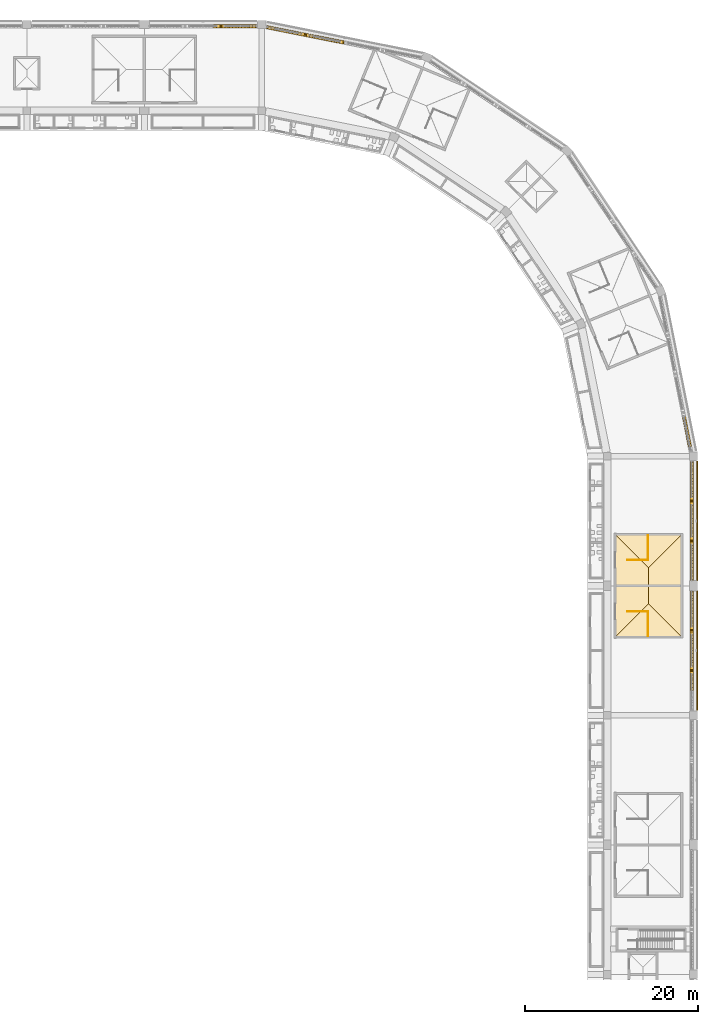
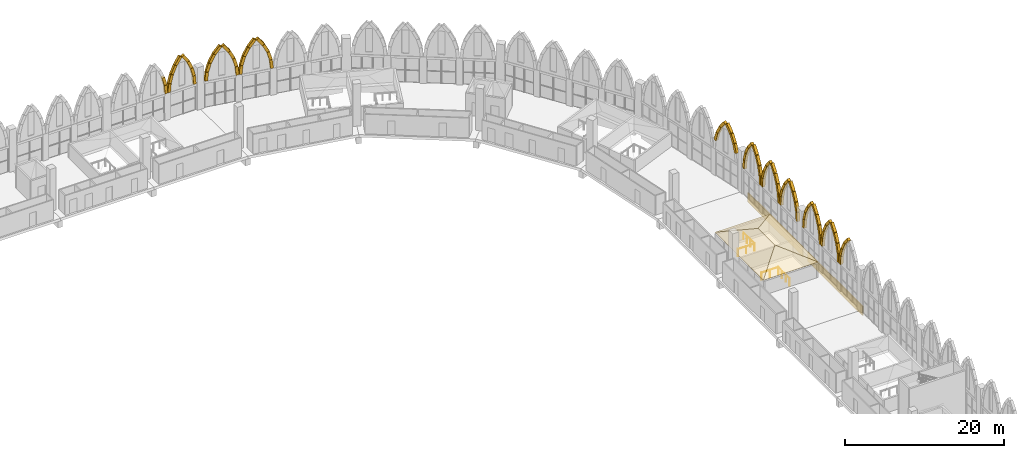
# One storey, part 119 of 130: 82 coverings, 4 railings.
"""IFC4 building model written with IfcOpenShell, lengths in metres."""

from ifc_helpers import new_model, si_unit, direction, frame, origin, origin_2d, place, context, subcontext, project, spatial, polyline, rectangle, circle, outline, extrude, material, layer, layer_set, material_profile, profile_set, type_object, element, save


model = new_model("IFC4")

# Units and contexts
model_context = context("Model", 3, precision=1e-05, world=origin(), true_north=direction((0.0, 1.0)))
body_context = subcontext(model_context, "Body", "Model", "MODEL_VIEW")
ifc_project = project(units=[si_unit("LENGTHUNIT", "METRE"), si_unit("AREAUNIT", "SQUARE_METRE"), si_unit("VOLUMEUNIT", "CUBIC_METRE"), si_unit("PLANEANGLEUNIT", "RADIAN"), si_unit("MASSUNIT", "GRAM", prefix="KILO")], contexts=[model_context])

# Site, building, storey
site_placement = place(None, origin())
site = spatial("IfcSite", under=ifc_project, at=site_placement, CompositionType="ELEMENT")
building_placement = place(site_placement, origin())
building = spatial("IfcBuilding", under=site, at=building_placement, Name="Ogive Plaza Stadium", CompositionType="ELEMENT")
storey_placement = place(building_placement, frame((0.0, 0.0, 22.5)))
storey = spatial("IfcBuildingStorey", under=building, at=storey_placement, Name="L05", CompositionType="ELEMENT", Elevation=22.5)

# Railings
ifc_material_1 = material(Name="Steel ASTM A572 Grade 50", Category="steel")
railing_type = type_object("IfcRailingType", Name="Guard 1100", PredefinedType="GUARDRAIL", material=ifc_material_1)
railing_1_placement = place(storey_placement, frame((76.35009765625, 34.52490234375, 0.0)))
element("IfcRailing", 1, at=railing_1_placement, inside=storey, type_object=railing_type, Name="Stair well guard ST02A L05", PredefinedType="GUARDRAIL", context=body_context, shape_type="SweptSolid", body=[
    extrude(circle(Radius=0.02392578125, at=origin_2d()), frame((0.0, 0.0, 1.076171875), z_axis=(1.0, 0.0, 0.0), x_axis=(0.0, 1.0, 0.0)), (0.0, 0.0, 1.0), 2.39990234375),
    extrude(circle(Radius=0.02099609375, at=origin_2d()), origin(), (0.0, 0.0, 1.0), 1.052001953125),
    extrude(circle(Radius=0.02099609375, at=origin_2d()), frame((1.199951171875, 0.0, 0.0)), (0.0, 0.0, 1.0), 1.052001953125),
    extrude(circle(Radius=0.02099609375, at=origin_2d()), frame((2.39990234375, 0.0, 0.0)), (0.0, 0.0, 1.0), 1.052001953125),
])
railing_2_placement = place(storey_placement, frame((78.75, 31.675048828125, 0.0)))
element("IfcRailing", 2, at=railing_2_placement, inside=storey, type_object=railing_type, Name="Stair guard ST02A L05", PredefinedType="GUARDRAIL", context=body_context, shape_type="SweptSolid", body=[
    extrude(circle(Radius=0.02392578125, at=origin_2d()), frame((0.0, 0.0, 1.076171875), z_axis=(0.0, 1.0, 0.0), x_axis=(-1.0, 0.0, 0.0)), (0.0, 0.0, 1.0), 2.800048828125),
    extrude(circle(Radius=0.02099609375, at=origin_2d()), origin(), (0.0, 0.0, 1.0), 1.052001953125),
    extrude(circle(Radius=0.02099609375, at=origin_2d()), frame((0.0, 0.933349609375, 0.0)), (0.0, 0.0, 1.0), 1.052001953125),
    extrude(circle(Radius=0.02099609375, at=origin_2d()), frame((0.0, 1.86669921875, 0.0)), (0.0, 0.0, 1.0), 1.052001953125),
    extrude(circle(Radius=0.02099609375, at=origin_2d()), frame((0.0, 2.800048828125, 0.0)), (0.0, 0.0, 1.0), 1.052001953125),
])
railing_3_placement = place(storey_placement, frame((76.35009765625, 40.47509765625, 0.0)))
element("IfcRailing", 3, at=railing_3_placement, inside=storey, type_object=railing_type, Name="Stair well guard ST02B L05", PredefinedType="GUARDRAIL", context=body_context, shape_type="SweptSolid", body=[
    extrude(circle(Radius=0.02392578125, at=origin_2d()), frame((0.0, 0.0, 1.076171875), z_axis=(1.0, 0.0, 0.0), x_axis=(0.0, 1.0, 0.0)), (0.0, 0.0, 1.0), 2.39990234375),
    extrude(circle(Radius=0.02099609375, at=origin_2d()), origin(), (0.0, 0.0, 1.0), 1.052001953125),
    extrude(circle(Radius=0.02099609375, at=origin_2d()), frame((1.199951171875, 0.0, 0.0)), (0.0, 0.0, 1.0), 1.052001953125),
    extrude(circle(Radius=0.02099609375, at=origin_2d()), frame((2.39990234375, 0.0, 0.0)), (0.0, 0.0, 1.0), 1.052001953125),
])
railing_4_placement = place(storey_placement, frame((78.75, 40.52490234375, 0.0)))
element("IfcRailing", 4, at=railing_4_placement, inside=storey, type_object=railing_type, Name="Stair guard ST02B L05", PredefinedType="GUARDRAIL", context=body_context, shape_type="SweptSolid", body=[
    extrude(circle(Radius=0.02392578125, at=origin_2d()), frame((0.0, 0.0, 1.076171875), z_axis=(0.0, 1.0, 0.0), x_axis=(-1.0, 0.0, 0.0)), (0.0, 0.0, 1.0), 2.800048828125),
    extrude(circle(Radius=0.02099609375, at=origin_2d()), origin(), (0.0, 0.0, 1.0), 1.052001953125),
    extrude(circle(Radius=0.02099609375, at=origin_2d()), frame((0.0, 0.933349609375, 0.0)), (0.0, 0.0, 1.0), 1.052001953125),
    extrude(circle(Radius=0.02099609375, at=origin_2d()), frame((0.0, 1.86669921875, 0.0)), (0.0, 0.0, 1.0), 1.052001953125),
    extrude(circle(Radius=0.02099609375, at=origin_2d()), frame((0.0, 2.800048828125, 0.0)), (0.0, 0.0, 1.0), 1.052001953125),
])

# Coverings
ifc_material_2 = material(Name="Cast stone (reconstituted limestone)", Category="masonry")
ifc_material_profile = material_profile(ifc_material_2, rectangle(XDim=0.39990234375, YDim=0.39990234375, at=origin_2d()), Name="Cast stone 400x400")
ifc_profile_set = profile_set([ifc_material_profile], Name="Cast stone (reconstituted limestone)")
covering_type_1 = type_object("IfcCoveringType", Name="Precast arch rib 400x400", PredefinedType="MOLDING", material=ifc_profile_set)
covering_1_placement = place(storey_placement, frame((83.800048828125, 51.69921875, 4.118896484375), z_axis=(0.0, -0.094171713154, 0.995555969517), x_axis=(1.0, 0.0, 0.0)))
element("IfcCovering", 5, at=covering_1_placement, inside=storey, type_object=covering_type_1, Name="ARCH RIB B01 1.1", PredefinedType="MOLDING", context=body_context, shape_type="SweptSolid", body=[
    extrude(rectangle(XDim=0.39990234375, YDim=0.39990234375, at=origin_2d()), origin(), (0.0, 0.0, 1.0), 1.319580078125),
])
for number, where, z_axis, x_axis, name in (
    (6, (83.800048828125, 51.56787109375, 5.4697265625), (0.0, -0.2789697965, 0.960299876414), (1.0, 0.0, 0.0), "ARCH RIB B01 1.2"),
    (7, (83.800048828125, 51.18603515625, 6.77197265625), (0.0, -0.453934094395, 0.891035261898), (1.0, 0.0, 0.0), "ARCH RIB B01 1.3"),
):
    element("IfcCovering", number, at=place(storey_placement, frame(where, z_axis=z_axis, x_axis=x_axis)), inside=storey, type_object=covering_type_1, Name=name, PredefinedType="MOLDING", context=body_context, shape_type="SweptSolid", body=[
        extrude(rectangle(XDim=0.39990234375, YDim=0.39990234375, at=origin_2d()), origin(), (0.0, 0.0, 1.0), 1.31982421875),
    ])
for number, where, z_axis, x_axis, name in (
    (8, (83.800048828125, 50.566650390625, 7.979736328125), (0.0, -0.612799939872, 0.790238086713), (1.0, 0.0, 0.0), "ARCH RIB B01 1.4"),
    (9, (83.800048828125, 49.44189453125, 9.0224609375), (0.0, -0.612799939872, -0.790238086713), (1.0, 0.0, 0.0), "ARCH RIB B01 1.5"),
):
    element("IfcCovering", number, at=place(storey_placement, frame(where, z_axis=z_axis, x_axis=x_axis)), inside=storey, type_object=covering_type_1, Name=name, PredefinedType="MOLDING", context=body_context, shape_type="SweptSolid", body=[
        extrude(rectangle(XDim=0.39990234375, YDim=0.39990234375, at=origin_2d()), origin(), (0.0, 0.0, 1.0), 1.319580078125),
    ])
for number, where, z_axis, x_axis, name in (
    (10, (83.800048828125, 48.613037109375, 7.947998046875), (0.0, -0.453787214374, -0.891110074048), (1.0, 0.0, 0.0), "ARCH RIB B01 1.6"),
    (11, (83.800048828125, 48.000244140625, 6.737060546875), (0.0, -0.2789697965, -0.960299876414), (1.0, 0.0, 0.0), "ARCH RIB B01 1.7"),
):
    element("IfcCovering", number, at=place(storey_placement, frame(where, z_axis=z_axis, x_axis=x_axis)), inside=storey, type_object=covering_type_1, Name=name, PredefinedType="MOLDING", context=body_context, shape_type="SweptSolid", body=[
        extrude(rectangle(XDim=0.39990234375, YDim=0.39990234375, at=origin_2d()), origin(), (0.0, 0.0, 1.0), 1.31982421875),
    ])
for number, where, z_axis, x_axis, name in (
    (12, (83.800048828125, 47.625, 5.4326171875), (0.0, -0.093988335931, -0.995573298511), (1.0, 0.0, 0.0), "ARCH RIB B01 1.8"),
    (13, (83.800048828125, 47.09912109375, 4.118896484375), (0.0, -0.094171713154, 0.995555969517), (1.0, 0.0, 0.0), "ARCH RIB B01 2.1"),
    (14, (83.800048828125, 46.9677734375, 5.4697265625), (0.0, -0.278799187003, 0.960349422516), (1.0, 0.0, 0.0), "ARCH RIB B01 2.2"),
):
    element("IfcCovering", number, at=place(storey_placement, frame(where, z_axis=z_axis, x_axis=x_axis)), inside=storey, type_object=covering_type_1, Name=name, PredefinedType="MOLDING", context=body_context, shape_type="SweptSolid", body=[
        extrude(rectangle(XDim=0.39990234375, YDim=0.39990234375, at=origin_2d()), origin(), (0.0, 0.0, 1.0), 1.319580078125),
    ])
covering_2_placement = place(storey_placement, frame((83.800048828125, 46.5859375, 6.77197265625), z_axis=(0.0, -0.453934094395, 0.891035261898), x_axis=(1.0, 0.0, 0.0)))
element("IfcCovering", 15, at=covering_2_placement, inside=storey, type_object=covering_type_1, Name="ARCH RIB B01 2.3", PredefinedType="MOLDING", context=body_context, shape_type="SweptSolid", body=[
    extrude(rectangle(XDim=0.39990234375, YDim=0.39990234375, at=origin_2d()), origin(), (0.0, 0.0, 1.0), 1.31982421875),
])
for number, where, z_axis, x_axis, name in (
    (16, (83.800048828125, 45.966796875, 7.979736328125), (0.0, -0.612915463399, 0.790148489036), (1.0, 0.0, 0.0), "ARCH RIB B01 2.4"),
    (17, (83.800048828125, 44.842041015625, 9.0224609375), (0.0, -0.612915463399, -0.790148489036), (1.0, 0.0, 0.0), "ARCH RIB B01 2.5"),
):
    element("IfcCovering", number, at=place(storey_placement, frame(where, z_axis=z_axis, x_axis=x_axis)), inside=storey, type_object=covering_type_1, Name=name, PredefinedType="MOLDING", context=body_context, shape_type="SweptSolid", body=[
        extrude(rectangle(XDim=0.39990234375, YDim=0.39990234375, at=origin_2d()), origin(), (0.0, 0.0, 1.0), 1.319580078125),
    ])
covering_3_placement = place(storey_placement, frame((83.800048828125, 44.01318359375, 7.947998046875), z_axis=(0.0, -0.453934094395, -0.891035261898), x_axis=(1.0, 0.0, 0.0)))
element("IfcCovering", 18, at=covering_3_placement, inside=storey, type_object=covering_type_1, Name="ARCH RIB B01 2.6", PredefinedType="MOLDING", context=body_context, shape_type="SweptSolid", body=[
    extrude(rectangle(XDim=0.39990234375, YDim=0.39990234375, at=origin_2d()), origin(), (0.0, 0.0, 1.0), 1.31982421875),
])
for number, where, z_axis, x_axis, name in (
    (19, (83.800048828125, 43.400146484375, 6.737060546875), (0.0, -0.278799187003, -0.960349422516), (1.0, 0.0, 0.0), "ARCH RIB B01 2.7"),
    (20, (83.800048828125, 43.025146484375, 5.4326171875), (0.0, -0.094171713154, -0.995555969517), (1.0, 0.0, 0.0), "ARCH RIB B01 2.8"),
    (21, (83.800048828125, 42.4990234375, 4.118896484375), (0.0, -0.093988335931, 0.995573298511), (1.0, 0.0, 0.0), "ARCH RIB B01 3.1"),
):
    element("IfcCovering", number, at=place(storey_placement, frame(where, z_axis=z_axis, x_axis=x_axis)), inside=storey, type_object=covering_type_1, Name=name, PredefinedType="MOLDING", context=body_context, shape_type="SweptSolid", body=[
        extrude(rectangle(XDim=0.39990234375, YDim=0.39990234375, at=origin_2d()), origin(), (0.0, 0.0, 1.0), 1.319580078125),
    ])
for number, where, z_axis, x_axis, name in (
    (22, (83.800048828125, 42.367919921875, 5.4697265625), (0.0, -0.2789697965, 0.960299876414), (1.0, 0.0, 0.0), "ARCH RIB B01 3.2"),
    (23, (83.800048828125, 41.98583984375, 6.77197265625), (0.0, -0.453787214374, 0.891110074048), (1.0, 0.0, 0.0), "ARCH RIB B01 3.3"),
):
    element("IfcCovering", number, at=place(storey_placement, frame(where, z_axis=z_axis, x_axis=x_axis)), inside=storey, type_object=covering_type_1, Name=name, PredefinedType="MOLDING", context=body_context, shape_type="SweptSolid", body=[
        extrude(rectangle(XDim=0.39990234375, YDim=0.39990234375, at=origin_2d()), origin(), (0.0, 0.0, 1.0), 1.31982421875),
    ])
for number, where, z_axis, x_axis, name in (
    (24, (83.800048828125, 41.36669921875, 7.979736328125), (0.0, -0.612799939872, 0.790238086713), (1.0, 0.0, 0.0), "ARCH RIB B01 3.4"),
    (25, (83.800048828125, 40.241943359375, 9.0224609375), (0.0, -0.612799939872, -0.790238086713), (1.0, 0.0, 0.0), "ARCH RIB B01 3.5"),
):
    element("IfcCovering", number, at=place(storey_placement, frame(where, z_axis=z_axis, x_axis=x_axis)), inside=storey, type_object=covering_type_1, Name=name, PredefinedType="MOLDING", context=body_context, shape_type="SweptSolid", body=[
        extrude(rectangle(XDim=0.39990234375, YDim=0.39990234375, at=origin_2d()), origin(), (0.0, 0.0, 1.0), 1.319580078125),
    ])
for number, where, z_axis, x_axis, name in (
    (26, (83.800048828125, 39.4130859375, 7.947998046875), (0.0, -0.453934094395, -0.891035261898), (1.0, 0.0, 0.0), "ARCH RIB B01 3.6"),
    (27, (83.800048828125, 38.80029296875, 6.737060546875), (0.0, -0.2789697965, -0.960299876414), (1.0, 0.0, 0.0), "ARCH RIB B01 3.7"),
):
    element("IfcCovering", number, at=place(storey_placement, frame(where, z_axis=z_axis, x_axis=x_axis)), inside=storey, type_object=covering_type_1, Name=name, PredefinedType="MOLDING", context=body_context, shape_type="SweptSolid", body=[
        extrude(rectangle(XDim=0.39990234375, YDim=0.39990234375, at=origin_2d()), origin(), (0.0, 0.0, 1.0), 1.31982421875),
    ])
for number, where, z_axis, x_axis, name in (
    (28, (83.800048828125, 38.425048828125, 5.4326171875), (0.0, -0.094171713154, -0.995555969517), (1.0, 0.0, 0.0), "ARCH RIB B01 3.8"),
    (29, (83.800048828125, 36.69921875, 4.118896484375), (0.0, -0.094171713154, 0.995555969517), (1.0, 0.0, 0.0), "ARCH RIB B02 1.1"),
):
    element("IfcCovering", number, at=place(storey_placement, frame(where, z_axis=z_axis, x_axis=x_axis)), inside=storey, type_object=covering_type_1, Name=name, PredefinedType="MOLDING", context=body_context, shape_type="SweptSolid", body=[
        extrude(rectangle(XDim=0.39990234375, YDim=0.39990234375, at=origin_2d()), origin(), (0.0, 0.0, 1.0), 1.319580078125),
    ])
for number, where, z_axis, x_axis, name in (
    (30, (83.800048828125, 36.56787109375, 5.4697265625), (0.0, -0.2789697965, 0.960299876414), (1.0, 0.0, 0.0), "ARCH RIB B02 1.2"),
    (31, (83.800048828125, 36.18603515625, 6.77197265625), (0.0, -0.453934094395, 0.891035261898), (1.0, 0.0, 0.0), "ARCH RIB B02 1.3"),
):
    element("IfcCovering", number, at=place(storey_placement, frame(where, z_axis=z_axis, x_axis=x_axis)), inside=storey, type_object=covering_type_1, Name=name, PredefinedType="MOLDING", context=body_context, shape_type="SweptSolid", body=[
        extrude(rectangle(XDim=0.39990234375, YDim=0.39990234375, at=origin_2d()), origin(), (0.0, 0.0, 1.0), 1.31982421875),
    ])
for number, where, z_axis, x_axis, name in (
    (32, (83.800048828125, 35.566650390625, 7.979736328125), (0.0, -0.612799939872, 0.790238086713), (1.0, 0.0, 0.0), "ARCH RIB B02 1.4"),
    (33, (83.800048828125, 34.44189453125, 9.0224609375), (0.0, -0.612799939872, -0.790238086713), (1.0, 0.0, 0.0), "ARCH RIB B02 1.5"),
):
    element("IfcCovering", number, at=place(storey_placement, frame(where, z_axis=z_axis, x_axis=x_axis)), inside=storey, type_object=covering_type_1, Name=name, PredefinedType="MOLDING", context=body_context, shape_type="SweptSolid", body=[
        extrude(rectangle(XDim=0.39990234375, YDim=0.39990234375, at=origin_2d()), origin(), (0.0, 0.0, 1.0), 1.319580078125),
    ])
for number, where, z_axis, x_axis, name in (
    (34, (83.800048828125, 33.613037109375, 7.947998046875), (0.0, -0.453787214374, -0.891110074048), (1.0, 0.0, 0.0), "ARCH RIB B02 1.6"),
    (35, (83.800048828125, 33.000244140625, 6.737060546875), (0.0, -0.2789697965, -0.960299876414), (1.0, 0.0, 0.0), "ARCH RIB B02 1.7"),
):
    element("IfcCovering", number, at=place(storey_placement, frame(where, z_axis=z_axis, x_axis=x_axis)), inside=storey, type_object=covering_type_1, Name=name, PredefinedType="MOLDING", context=body_context, shape_type="SweptSolid", body=[
        extrude(rectangle(XDim=0.39990234375, YDim=0.39990234375, at=origin_2d()), origin(), (0.0, 0.0, 1.0), 1.31982421875),
    ])
for number, where, z_axis, x_axis, name in (
    (36, (83.800048828125, 32.625, 5.4326171875), (0.0, -0.093988335931, -0.995573298511), (1.0, 0.0, 0.0), "ARCH RIB B02 1.8"),
    (37, (83.800048828125, 32.09912109375, 4.118896484375), (0.0, -0.094171713154, 0.995555969517), (1.0, 0.0, 0.0), "ARCH RIB B02 2.1"),
    (38, (83.800048828125, 31.9677734375, 5.4697265625), (0.0, -0.278799187003, 0.960349422516), (1.0, 0.0, 0.0), "ARCH RIB B02 2.2"),
):
    element("IfcCovering", number, at=place(storey_placement, frame(where, z_axis=z_axis, x_axis=x_axis)), inside=storey, type_object=covering_type_1, Name=name, PredefinedType="MOLDING", context=body_context, shape_type="SweptSolid", body=[
        extrude(rectangle(XDim=0.39990234375, YDim=0.39990234375, at=origin_2d()), origin(), (0.0, 0.0, 1.0), 1.319580078125),
    ])
covering_4_placement = place(storey_placement, frame((83.800048828125, 31.5859375, 6.77197265625), z_axis=(0.0, -0.453934094395, 0.891035261898), x_axis=(1.0, 0.0, 0.0)))
element("IfcCovering", 39, at=covering_4_placement, inside=storey, type_object=covering_type_1, Name="ARCH RIB B02 2.3", PredefinedType="MOLDING", context=body_context, shape_type="SweptSolid", body=[
    extrude(rectangle(XDim=0.39990234375, YDim=0.39990234375, at=origin_2d()), origin(), (0.0, 0.0, 1.0), 1.31982421875),
])
for number, where, z_axis, x_axis, name in (
    (40, (83.800048828125, 30.966796875, 7.979736328125), (0.0, -0.612915463399, 0.790148489036), (1.0, 0.0, 0.0), "ARCH RIB B02 2.4"),
    (41, (83.800048828125, 29.842041015625, 9.0224609375), (0.0, -0.612915463399, -0.790148489036), (1.0, 0.0, 0.0), "ARCH RIB B02 2.5"),
):
    element("IfcCovering", number, at=place(storey_placement, frame(where, z_axis=z_axis, x_axis=x_axis)), inside=storey, type_object=covering_type_1, Name=name, PredefinedType="MOLDING", context=body_context, shape_type="SweptSolid", body=[
        extrude(rectangle(XDim=0.39990234375, YDim=0.39990234375, at=origin_2d()), origin(), (0.0, 0.0, 1.0), 1.319580078125),
    ])
covering_5_placement = place(storey_placement, frame((83.800048828125, 29.01318359375, 7.947998046875), z_axis=(0.0, -0.453934094395, -0.891035261898), x_axis=(1.0, 0.0, 0.0)))
element("IfcCovering", 42, at=covering_5_placement, inside=storey, type_object=covering_type_1, Name="ARCH RIB B02 2.6", PredefinedType="MOLDING", context=body_context, shape_type="SweptSolid", body=[
    extrude(rectangle(XDim=0.39990234375, YDim=0.39990234375, at=origin_2d()), origin(), (0.0, 0.0, 1.0), 1.31982421875),
])
for number, where, z_axis, x_axis, name in (
    (43, (83.800048828125, 28.400146484375, 6.737060546875), (0.0, -0.278799187003, -0.960349422516), (1.0, 0.0, 0.0), "ARCH RIB B02 2.7"),
    (44, (83.800048828125, 28.025146484375, 5.4326171875), (0.0, -0.094171713154, -0.995555969517), (1.0, 0.0, 0.0), "ARCH RIB B02 2.8"),
    (45, (83.800048828125, 27.4990234375, 4.118896484375), (0.0, -0.093988335931, 0.995573298511), (1.0, 0.0, 0.0), "ARCH RIB B02 3.1"),
):
    element("IfcCovering", number, at=place(storey_placement, frame(where, z_axis=z_axis, x_axis=x_axis)), inside=storey, type_object=covering_type_1, Name=name, PredefinedType="MOLDING", context=body_context, shape_type="SweptSolid", body=[
        extrude(rectangle(XDim=0.39990234375, YDim=0.39990234375, at=origin_2d()), origin(), (0.0, 0.0, 1.0), 1.319580078125),
    ])
for number, where, z_axis, x_axis, name in (
    (46, (83.800048828125, 27.367919921875, 5.4697265625), (0.0, -0.2789697965, 0.960299876414), (1.0, 0.0, 0.0), "ARCH RIB B02 3.2"),
    (47, (83.800048828125, 26.98583984375, 6.77197265625), (0.0, -0.453787214374, 0.891110074048), (1.0, 0.0, 0.0), "ARCH RIB B02 3.3"),
):
    element("IfcCovering", number, at=place(storey_placement, frame(where, z_axis=z_axis, x_axis=x_axis)), inside=storey, type_object=covering_type_1, Name=name, PredefinedType="MOLDING", context=body_context, shape_type="SweptSolid", body=[
        extrude(rectangle(XDim=0.39990234375, YDim=0.39990234375, at=origin_2d()), origin(), (0.0, 0.0, 1.0), 1.31982421875),
    ])
covering_6_placement = place(storey_placement, frame((83.800048828125, 26.36669921875, 7.979736328125), z_axis=(0.0, -0.612799939872, 0.790238086713), x_axis=(1.0, 0.0, 0.0)))
element("IfcCovering", 48, at=covering_6_placement, inside=storey, type_object=covering_type_1, Name="ARCH RIB B02 3.4", PredefinedType="MOLDING", context=body_context, shape_type="SweptSolid", body=[
    extrude(rectangle(XDim=0.39990234375, YDim=0.39990234375, at=origin_2d()), origin(), (0.0, 0.0, 1.0), 1.319580078125),
])
covering_7_placement = place(storey_placement, frame((28.6318359375, 102.300048828125, 6.690185546875), z_axis=(0.248130007434, 0.0, -0.968726741352), x_axis=(0.0, 1.0, 0.0)))
element("IfcCovering", 49, at=covering_7_placement, inside=storey, type_object=covering_type_1, Name="ARCH RIB B36 2.7", PredefinedType="MOLDING", context=body_context, shape_type="SweptSolid", body=[
    extrude(rectangle(XDim=0.39990234375, YDim=0.39990234375, at=origin_2d()), origin(), (0.0, 0.0, 1.0), 1.29296875),
])
for number, where, z_axis, x_axis, name in (
    (50, (28.9580078125, 102.300048828125, 5.405029296875), (0.083467432906, 0.0, -0.996510505536), (0.0, 1.0, 0.0), "ARCH RIB B36 2.8"),
    (51, (29.46728515625, 102.300048828125, 4.11669921875), (0.083467432906, 0.0, 0.996510505536), (0.0, 1.0, 0.0), "ARCH RIB B36 3.1"),
    (52, (29.580810546875, 102.300048828125, 5.437744140625), (0.247952785685, 0.0, 0.96877211772), (0.0, 1.0, 0.0), "ARCH RIB B36 3.2"),
    (53, (29.912353515625, 102.300048828125, 6.7216796875), (0.405647789331, 0.0, 0.914029469443), (0.0, 1.0, 0.0), "ARCH RIB B36 3.3"),
    (54, (30.452880859375, 102.300048828125, 7.9326171875), (0.552038792089, 0.0, 0.833818428694), (0.0, 1.0, 0.0), "ARCH RIB B36 3.4"),
    (55, (31.5, 102.300048828125, 9.010498046875), (0.55217007731, 0.0, -0.833731494981), (0.0, 1.0, 0.0), "ARCH RIB B36 3.5"),
):
    element("IfcCovering", number, at=place(storey_placement, frame(where, z_axis=z_axis, x_axis=x_axis)), inside=storey, type_object=covering_type_1, Name=name, PredefinedType="MOLDING", context=body_context, shape_type="SweptSolid", body=[
        extrude(rectangle(XDim=0.39990234375, YDim=0.39990234375, at=origin_2d()), origin(), (0.0, 0.0, 1.0), 1.292724609375),
    ])
for number, where, z_axis, x_axis, name in (
    (56, (32.229736328125, 102.300048828125, 7.9033203125), (0.405805545127, 0.0, -0.913959440864), (0.0, 1.0, 0.0), "ARCH RIB B36 3.6"),
    (57, (32.76513671875, 102.300048828125, 6.690185546875), (0.248130007434, 0.0, -0.968726741352), (0.0, 1.0, 0.0), "ARCH RIB B36 3.7"),
):
    element("IfcCovering", number, at=place(storey_placement, frame(where, z_axis=z_axis, x_axis=x_axis)), inside=storey, type_object=covering_type_1, Name=name, PredefinedType="MOLDING", context=body_context, shape_type="SweptSolid", body=[
        extrude(rectangle(XDim=0.39990234375, YDim=0.39990234375, at=origin_2d()), origin(), (0.0, 0.0, 1.0), 1.29296875),
    ])
covering_8_placement = place(storey_placement, frame((33.09130859375, 102.300048828125, 5.405029296875), z_axis=(0.083467432906, 0.0, -0.996510505536), x_axis=(0.0, 1.0, 0.0)))
element("IfcCovering", 58, at=covering_8_placement, inside=storey, type_object=covering_type_1, Name="ARCH RIB B36 3.8", PredefinedType="MOLDING", context=body_context, shape_type="SweptSolid", body=[
    extrude(rectangle(XDim=0.39990234375, YDim=0.39990234375, at=origin_2d()), origin(), (0.0, 0.0, 1.0), 1.292724609375),
])
covering_9_placement = place(storey_placement, frame((34.7861328125, 102.1396484375, 4.11865234375), z_axis=(0.091206074607, -0.018167063641, 0.995666314462), x_axis=(0.195349397809, 0.980733711451, 0.0)))
element("IfcCovering", 59, at=covering_9_placement, inside=storey, type_object=covering_type_1, Name="ARCH RIB B37 1.1", PredefinedType="MOLDING", context=body_context, shape_type="SweptSolid", body=[
    extrude(rectangle(XDim=0.39990234375, YDim=0.39990234375, at=origin_2d()), origin(), (0.0, 0.0, 1.0), 1.31689453125),
])
for number, where, z_axis, x_axis, name in (
    (60, (34.9130859375, 102.114501953125, 5.466552734375), (0.270818389008, -0.0539412397, 0.961117965098), (0.195341523902, 0.980735279798, 0.0), "ARCH RIB B37 1.2"),
    (61, (35.283203125, 102.040771484375, 6.76708984375), (0.44096305246, -0.087673612364, 0.893232849855), (0.195006038548, 0.980802041663, 0.0), "ARCH RIB B37 1.3"),
    (62, (35.88330078125, 101.92138671875, 7.97509765625), (0.595717472648, -0.118439161488, 0.794413530731), (0.195000979273, 0.98080304755, 0.0), "ARCH RIB B37 1.4"),
    (63, (36.9794921875, 101.703369140625, 9.021484375), (0.595717472648, -0.118439161488, -0.794413530731), (0.195000979273, 0.98080304755, 0.0), "ARCH RIB B37 1.5"),
    (64, (37.78369140625, 101.54345703125, 7.943603515625), (0.44096305246, -0.087673612364, -0.893232849855), (0.195006038548, 0.980802041663, 0.0), "ARCH RIB B37 1.6"),
    (65, (38.377685546875, 101.42529296875, 6.732421875), (0.270818389008, -0.0539412397, -0.961117965098), (0.195341523902, 0.980735279798, 0.0), "ARCH RIB B37 1.7"),
):
    element("IfcCovering", number, at=place(storey_placement, frame(where, z_axis=z_axis, x_axis=x_axis)), inside=storey, type_object=covering_type_1, Name=name, PredefinedType="MOLDING", context=body_context, shape_type="SweptSolid", body=[
        extrude(rectangle(XDim=0.39990234375, YDim=0.39990234375, at=origin_2d()), origin(), (0.0, 0.0, 1.0), 1.317138671875),
    ])
for number, where, z_axis, x_axis, name in (
    (66, (38.7412109375, 101.35302734375, 5.429931640625), (0.091389906065, -0.018166756175, -0.995649463436), (0.194968228644, 0.980809558385, 0.0), "ARCH RIB B37 1.8"),
    (67, (39.255615234375, 101.250732421875, 4.11865234375), (0.091206074607, -0.018167063641, 0.995666314462), (0.195349397809, 0.980733711451, 0.0), "ARCH RIB B37 2.1"),
):
    element("IfcCovering", number, at=place(storey_placement, frame(where, z_axis=z_axis, x_axis=x_axis)), inside=storey, type_object=covering_type_1, Name=name, PredefinedType="MOLDING", context=body_context, shape_type="SweptSolid", body=[
        extrude(rectangle(XDim=0.39990234375, YDim=0.39990234375, at=origin_2d()), origin(), (0.0, 0.0, 1.0), 1.31689453125),
    ])
for number, where, z_axis, x_axis, name in (
    (68, (39.382568359375, 101.225341796875, 5.466552734375), (0.270821092261, -0.053756411195, 0.961127558778), (0.194695735094, 0.980863686113, 0.0), "ARCH RIB B37 2.2"),
    (69, (39.752685546875, 101.15185546875, 6.76708984375), (0.44096305246, -0.087673612364, 0.893232849855), (0.195006038548, 0.980802041663, 0.0), "ARCH RIB B37 2.3"),
    (70, (40.352783203125, 101.032470703125, 7.97509765625), (0.595717472648, -0.118439161488, 0.794413530731), (0.195000979273, 0.98080304755, 0.0), "ARCH RIB B37 2.4"),
    (71, (41.44921875, 100.814453125, 9.021484375), (0.595704385184, -0.118621906197, -0.794396078064), (0.195294514862, 0.980744641823, 0.0), "ARCH RIB B37 2.5"),
    (72, (42.253173828125, 100.654541015625, 7.943603515625), (0.440955879026, -0.087857539579, -0.893218319053), (0.195402587892, 0.980723115178, 0.0), "ARCH RIB B37 2.6"),
    (73, (42.84716796875, 100.5361328125, 6.732421875), (0.270992850695, -0.053753711834, -0.961079296071), (0.194567607325, 0.980889110032, 0.0), "ARCH RIB B37 2.7"),
):
    element("IfcCovering", number, at=place(storey_placement, frame(where, z_axis=z_axis, x_axis=x_axis)), inside=storey, type_object=covering_type_1, Name=name, PredefinedType="MOLDING", context=body_context, shape_type="SweptSolid", body=[
        extrude(rectangle(XDim=0.39990234375, YDim=0.39990234375, at=origin_2d()), origin(), (0.0, 0.0, 1.0), 1.317138671875),
    ])
covering_10_placement = place(storey_placement, frame((43.210693359375, 100.4638671875, 5.429931640625), z_axis=(0.091389906065, -0.018166756175, -0.995649463436), x_axis=(0.194968228644, 0.980809558385, 0.0)))
element("IfcCovering", 74, at=covering_10_placement, inside=storey, type_object=covering_type_1, Name="ARCH RIB B37 2.8", PredefinedType="MOLDING", context=body_context, shape_type="SweptSolid", body=[
    extrude(rectangle(XDim=0.39990234375, YDim=0.39990234375, at=origin_2d()), origin(), (0.0, 0.0, 1.0), 1.31689453125),
])
for number, where, z_axis, x_axis, name in (
    (75, (82.854248046875, 57.234375, 5.466552734375), (0.0539412397, -0.270818389008, 0.961117965098), (0.980735279798, 0.195341523902, 0.0), "ARCH RIB B40 4.2"),
    (76, (82.927978515625, 56.864501953125, 6.76708984375), (0.087673612364, -0.44096305246, 0.893232849855), (0.980802041663, 0.195006038548, 0.0), "ARCH RIB B40 4.3"),
    (77, (83.04736328125, 56.26416015625, 7.97509765625), (0.118439161488, -0.595717472648, 0.794413530731), (0.98080304755, 0.195000979273, 0.0), "ARCH RIB B40 4.4"),
    (78, (83.265380859375, 55.16796875, 9.021484375), (0.118439161488, -0.595717472648, -0.794413530731), (0.98080304755, 0.195000979273, 0.0), "ARCH RIB B40 4.5"),
    (79, (83.42529296875, 54.364013671875, 7.943603515625), (0.087673612364, -0.44096305246, -0.893232849855), (0.980802041663, 0.195006038548, 0.0), "ARCH RIB B40 4.6"),
    (80, (83.54345703125, 53.769775390625, 6.732421875), (0.0539412397, -0.270818389008, -0.961117965098), (0.980735279798, 0.195341523902, 0.0), "ARCH RIB B40 4.7"),
):
    element("IfcCovering", number, at=place(storey_placement, frame(where, z_axis=z_axis, x_axis=x_axis)), inside=storey, type_object=covering_type_1, Name=name, PredefinedType="MOLDING", context=body_context, shape_type="SweptSolid", body=[
        extrude(rectangle(XDim=0.39990234375, YDim=0.39990234375, at=origin_2d()), origin(), (0.0, 0.0, 1.0), 1.317138671875),
    ])
ifc_material_3 = material(Name="Cast stone (reconstituted limestone)", Category="masonry")
ifc_layer_1 = layer(ifc_material_3, 0.159912109375)
ifc_layer_set_1 = layer_set([ifc_layer_1], Name="Precast spandrel cladding 160")
covering_type_2 = type_object("IfcCoveringType", Name="Precast spandrel cladding 160", PredefinedType="CLADDING", material=ifc_layer_set_1)
covering_11_placement = place(storey_placement, frame((0.0, 0.0, -1.409912109375)))
element("IfcCovering", 81, at=covering_11_placement, inside=storey, type_object=covering_type_2, Name="SPANDREL CLADDING B01 L05", PredefinedType="CLADDING", context=body_context, shape_type="SweptSolid", body=[
    extrude(outline(polyline([(84.35009765625, 51.89990234375), (84.35009765625, 38.10009765625), (84.510009765625, 38.10009765625), (84.510009765625, 51.89990234375), (84.35009765625, 51.89990234375)])), origin(), (0.0, 0.0, 1.0), 1.409912109375),
])
covering_12_placement = place(storey_placement, frame((0.0, 0.0, -1.409912109375)))
element("IfcCovering", 82, at=covering_12_placement, inside=storey, type_object=covering_type_2, Name="SPANDREL CLADDING B02 L05", PredefinedType="CLADDING", context=body_context, shape_type="SweptSolid", body=[
    extrude(outline(polyline([(84.35009765625, 36.89990234375), (84.35009765625, 23.10009765625), (84.510009765625, 23.10009765625), (84.510009765625, 36.89990234375), (84.35009765625, 36.89990234375)])), origin(), (0.0, 0.0, 1.0), 1.409912109375),
])
ifc_material_4 = material(Name="Zinc standing seam", Category="metal")
ifc_layer_2 = layer(ifc_material_4, 0.0400390625)
ifc_layer_set_2 = layer_set([ifc_layer_2], Name="Turret roof zinc standing seam 40")
covering_type_3 = type_object("IfcCoveringType", Name="Turret roof zinc standing seam 40", PredefinedType="ROOFING", material=ifc_layer_set_2)
covering_13_placement = place(storey_placement, frame((82.760009765625, 31.425048828125, 2.337158203125), z_axis=(0.372970046205, 0.0, 0.927843383677), x_axis=(0.0, 1.0, 0.0)))
element("IfcCovering", 83, at=covering_13_placement, inside=storey, type_object=covering_type_3, Name="Stair core roof facet R02 1", PredefinedType="ROOFING", context=body_context, shape_type="SweptSolid", body=[
    extrude(outline(polyline([(0.0, 0.0), (12.14990234375, 0.0), (8.169921875, 4.289495984738666), (3.97998046875, 4.289495984738666), (0.0, 0.0)])), origin(), (0.0, 0.0, -1.0), 0.0400390625),
])
covering_14_placement = place(storey_placement, frame((82.760009765625, 43.574951171875, 2.337158203125), z_axis=(0.0, 0.372970046205, 0.927843383677), x_axis=(-1.0, 0.0, 0.0)))
element("IfcCovering", 84, at=covering_14_placement, inside=storey, type_object=covering_type_3, Name="Stair core roof facet R02 2", PredefinedType="ROOFING", context=body_context, shape_type="SweptSolid", body=[
    extrude(outline(polyline([(0.0, 0.0), (7.9599609375, 0.0), (3.97998046875, 4.289495984738666), (0.0, 0.0)])), origin(), (0.0, 0.0, -1.0), 0.0400390625),
])
covering_15_placement = place(storey_placement, frame((74.800048828125, 43.574951171875, 2.337158203125), z_axis=(-0.372970046205, 0.0, 0.927843383677), x_axis=(0.0, -1.0, 0.0)))
element("IfcCovering", 85, at=covering_15_placement, inside=storey, type_object=covering_type_3, Name="Stair core roof facet R02 3", PredefinedType="ROOFING", context=body_context, shape_type="SweptSolid", body=[
    extrude(outline(polyline([(0.0, 0.0), (12.14990234375, 0.0), (8.169921875, 4.289495984738666), (3.97998046875, 4.289495984738666), (0.0, 0.0)])), origin(), (0.0, 0.0, -1.0), 0.0400390625),
])
covering_16_placement = place(storey_placement, frame((74.800048828125, 31.425048828125, 2.337158203125), z_axis=(0.0, -0.372970046205, 0.927843383677), x_axis=(1.0, 0.0, 0.0)))
element("IfcCovering", 86, at=covering_16_placement, inside=storey, type_object=covering_type_3, Name="Stair core roof facet R02 4", PredefinedType="ROOFING", context=body_context, shape_type="SweptSolid", body=[
    extrude(outline(polyline([(0.0, 0.0), (7.9599609375, 0.0), (3.97998046875, 4.289495984738666), (0.0, 0.0)])), origin(), (0.0, 0.0, -1.0), 0.0400390625),
])

save(model, "model.ifc")
